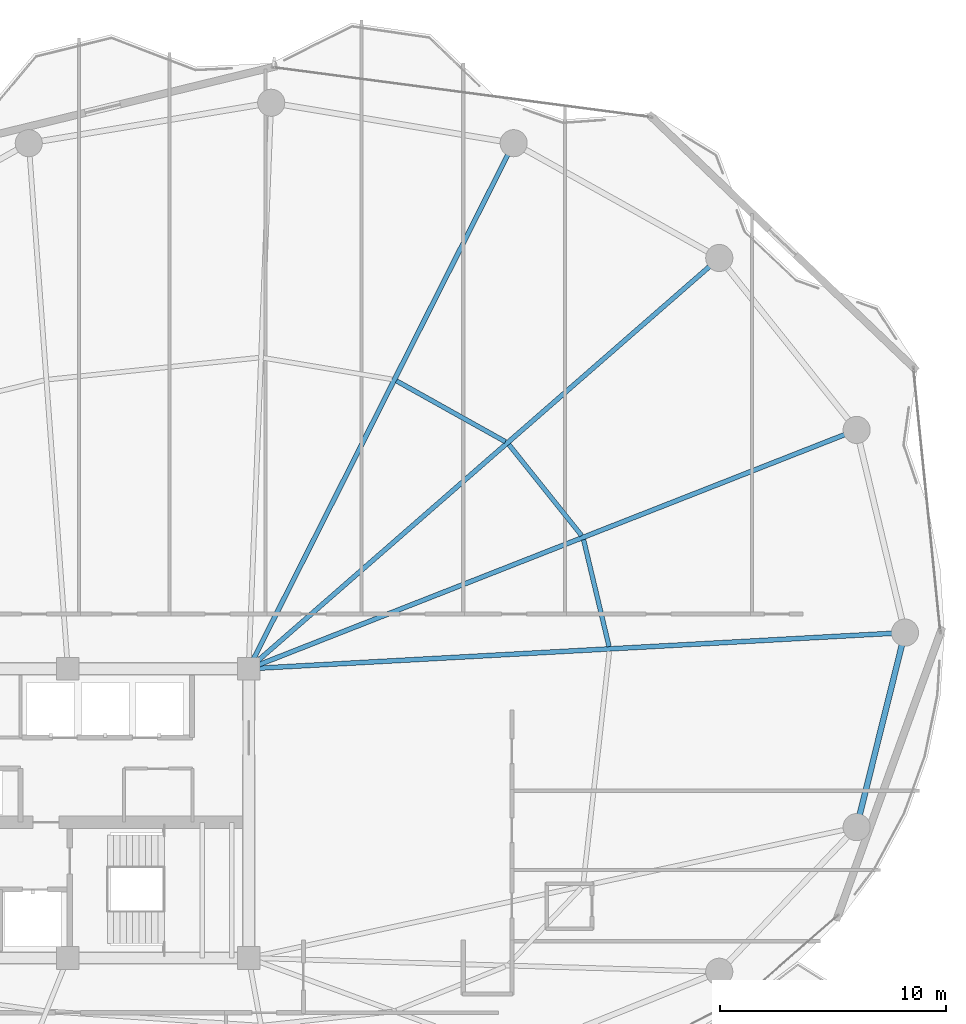
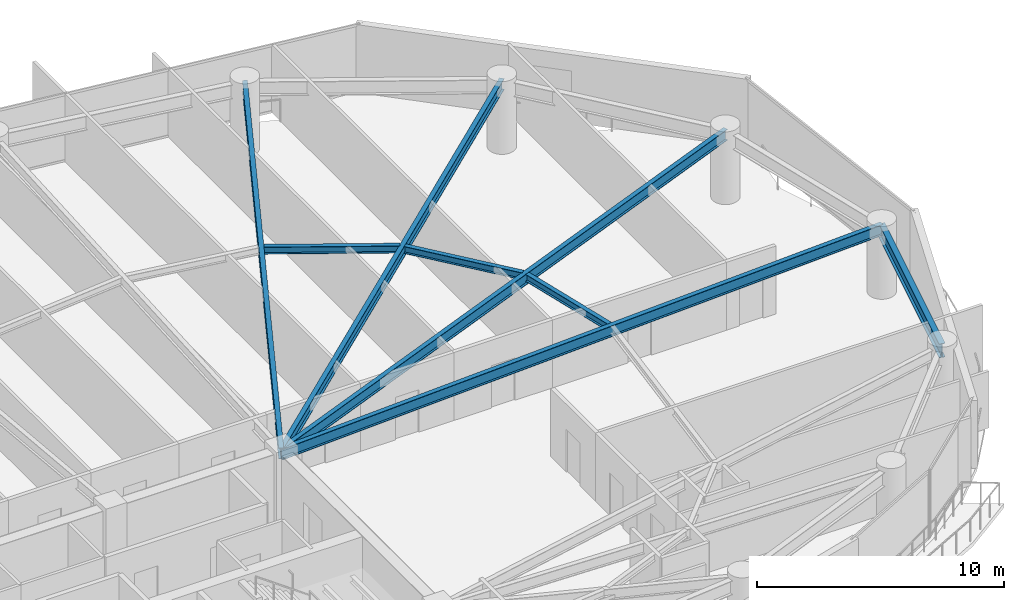
# One storey, part 14 of 31: 8 beams.
"""IFC4 building model written with IfcOpenShell, lengths in metres."""

from ifc_helpers import new_model, si_unit, direction, frame, origin, origin_2d, place, context, subcontext, project, spatial, i_section, extrude, material, material_profile, profile_set, type_object, element, save


model = new_model("IFC4")

# Units and contexts
model_context = context("Model", 3, precision=1e-05, world=origin(), true_north=direction((0.0, 1.0)))
body_context = subcontext(model_context, "Body", "Model", "MODEL_VIEW")
ifc_project = project(units=[si_unit("LENGTHUNIT", "METRE"), si_unit("AREAUNIT", "SQUARE_METRE"), si_unit("VOLUMEUNIT", "CUBIC_METRE"), si_unit("PLANEANGLEUNIT", "RADIAN"), si_unit("MASSUNIT", "GRAM", prefix="KILO")], contexts=[model_context])

# Site, building, storey
site_placement = place(None, origin())
site = spatial("IfcSite", under=ifc_project, at=site_placement, CompositionType="ELEMENT")
building_placement = place(site_placement, origin())
building = spatial("IfcBuilding", under=site, at=building_placement, Name="Kazevale Care Tower and Concert Hall", CompositionType="ELEMENT")
storey_placement = place(building_placement, frame((0.0, 0.0, 124.199951171875)))
storey = spatial("IfcBuildingStorey", under=building, at=storey_placement, Name="L32", CompositionType="ELEMENT", Elevation=124.199951171875)

# Beams
ifc_material = material(Name="Steel ASTM A572 Gr 50", Category="steel")
ifc_material_profile_1 = material_profile(ifc_material, i_section(OverallWidth=0.2119140625, OverallDepth=0.5439453125, WebThickness=0.01318359375, FlangeThickness=0.021240234375, at=origin_2d()), Name="W530x123")
ifc_profile_set_1 = profile_set([ifc_material_profile_1], Name="Steel ASTM A572 Gr 50")
beam_type_1 = type_object("IfcBeamType", Name="Radial Floor Girder W530x123", PredefinedType="BEAM", material=ifc_profile_set_1)
beam_1_placement = place(storey_placement, frame((44.0, 36.39990234375, 3.088134765625), z_axis=(0.998486500016, 0.054997357076, 0.0), x_axis=(-0.054997357076, 0.998486500016, 0.0)))
element("IfcBeam", 1, at=beam_1_placement, inside=storey, type_object=beam_type_1, Name="beam:L32:rad:01", PredefinedType="BEAM", context=body_context, shape_type="SweptSolid", body=[
    extrude(i_section(OverallWidth=0.2119140625, OverallDepth=0.5439453125, WebThickness=0.01318359375, FlangeThickness=0.021240234375, at=origin_2d()), origin(), (0.0, 0.0, 1.0), 29.093994140625),
])
beam_2_placement = place(storey_placement, frame((44.0, 36.39990234375, 3.088134765625), z_axis=(0.930771301513, 0.36560194786, 0.0), x_axis=(-0.36560194786, 0.930771301513, 0.0)))
element("IfcBeam", 2, at=beam_2_placement, inside=storey, type_object=beam_type_1, Name="beam:L32:rad:02", PredefinedType="BEAM", context=body_context, shape_type="SweptSolid", body=[
    extrude(i_section(OverallWidth=0.2119140625, OverallDepth=0.5439453125, WebThickness=0.01318359375, FlangeThickness=0.021240234375, at=origin_2d()), origin(), (0.0, 0.0, 1.0), 28.911376953125),
])
beam_3_placement = place(storey_placement, frame((44.0, 36.39990234375, 3.088134765625), z_axis=(0.753403181998, 0.657558853149, 0.0), x_axis=(-0.657558853149, 0.753403181998, 0.0)))
element("IfcBeam", 3, at=beam_3_placement, inside=storey, type_object=beam_type_1, Name="beam:L32:rad:03", PredefinedType="BEAM", context=body_context, shape_type="SweptSolid", body=[
    extrude(i_section(OverallWidth=0.2119140625, OverallDepth=0.5439453125, WebThickness=0.01318359375, FlangeThickness=0.021240234375, at=origin_2d()), origin(), (0.0, 0.0, 1.0), 27.64794921875),
])
beam_4_placement = place(storey_placement, frame((44.0, 36.39990234375, 3.088134765625), z_axis=(0.450281187568, 0.892886808124, 0.0), x_axis=(-0.892886808124, 0.450281187568, 0.0)))
element("IfcBeam", 4, at=beam_4_placement, inside=storey, type_object=beam_type_1, Name="beam:L32:rad:04", PredefinedType="BEAM", context=body_context, shape_type="SweptSolid", body=[
    extrude(i_section(OverallWidth=0.2119140625, OverallDepth=0.5439453125, WebThickness=0.01318359375, FlangeThickness=0.021240234375, at=origin_2d()), origin(), (0.0, 0.0, 1.0), 26.05029296875),
])
ifc_material_profile_2 = material_profile(ifc_material, i_section(OverallWidth=0.205078125, OverallDepth=0.35400390625, WebThickness=0.009521484375, FlangeThickness=0.016845703125, at=origin_2d()), Name="W360x79")
ifc_profile_set_2 = profile_set([ifc_material_profile_2], Name="Steel ASTM A572 Gr 50")
beam_type_2 = type_object("IfcBeamType", Name="Secondary Floor Joist W360x79", PredefinedType="JOIST", material=ifc_profile_set_2)
beam_5_placement = place(storey_placement, frame((59.952880859375, 37.382080078125, 3.18310546875), z_axis=(-0.232005223279, 0.972714540023, 0.0), x_axis=(-0.972714540023, -0.232005223279, 0.0)))
element("IfcBeam", 5, at=beam_5_placement, inside=storey, type_object=beam_type_2, Name="beam:L32:joist:01", PredefinedType="JOIST", context=body_context, shape_type="SweptSolid", body=[
    extrude(i_section(OverallWidth=0.205078125, OverallDepth=0.35400390625, WebThickness=0.009521484375, FlangeThickness=0.016845703125, at=origin_2d()), origin(), (0.0, 0.0, 1.0), 4.861572265625),
])
beam_6_placement = place(storey_placement, frame((58.735107421875, 42.2958984375, 3.18310546875), z_axis=(-0.624261115922, 0.781215757104, 0.0), x_axis=(-0.781215757104, -0.624261115922, 0.0)))
element("IfcBeam", 6, at=beam_6_placement, inside=storey, type_object=beam_type_2, Name="beam:L32:joist:02", PredefinedType="JOIST", context=body_context, shape_type="SweptSolid", body=[
    extrude(i_section(OverallWidth=0.205078125, OverallDepth=0.35400390625, WebThickness=0.009521484375, FlangeThickness=0.016845703125, at=origin_2d()), origin(), (0.0, 0.0, 1.0), 5.147216796875),
])
beam_7_placement = place(storey_placement, frame((55.364990234375, 46.449951171875, 3.18310546875), z_axis=(-0.873137755824, 0.487473547338, 0.0), x_axis=(-0.487473547338, -0.873137755824, 0.0)))
element("IfcBeam", 7, at=beam_7_placement, inside=storey, type_object=beam_type_2, Name="beam:L32:joist:03", PredefinedType="JOIST", context=body_context, shape_type="SweptSolid", body=[
    extrude(i_section(OverallWidth=0.205078125, OverallDepth=0.35400390625, WebThickness=0.009521484375, FlangeThickness=0.016845703125, at=origin_2d()), origin(), (0.0, 0.0, 1.0), 5.522705078125),
])
ifc_material_profile_3 = material_profile(ifc_material, i_section(OverallWidth=0.256103515625, OverallDepth=0.693115234375, WebThickness=0.014404296875, FlangeThickness=0.023681640625, at=origin_2d()), Name="W690x170")
ifc_profile_set_3 = profile_set([ifc_material_profile_3], Name="Steel ASTM A572 Gr 50")
beam_type_3 = type_object("IfcBeamType", Name="Waist Ring Beam W690x170", PredefinedType="BEAM", material=ifc_profile_set_3)
beam_8_placement = place(storey_placement, frame((70.909912109375, 29.389892578125, 3.013427734375), z_axis=(0.241221022882, 0.970470204653, 0.0), x_axis=(-0.970470204653, 0.241221022882, 0.0)))
element("IfcBeam", 8, at=beam_8_placement, inside=storey, type_object=beam_type_3, Name="beam:L32:ring:16", PredefinedType="BEAM", context=body_context, shape_type="SweptSolid", body=[
    extrude(i_section(OverallWidth=0.256103515625, OverallDepth=0.693115234375, WebThickness=0.014404296875, FlangeThickness=0.023681640625, at=origin_2d()), origin(), (0.0, 0.0, 1.0), 8.8720703125),
])

save(model, "model.ifc")
